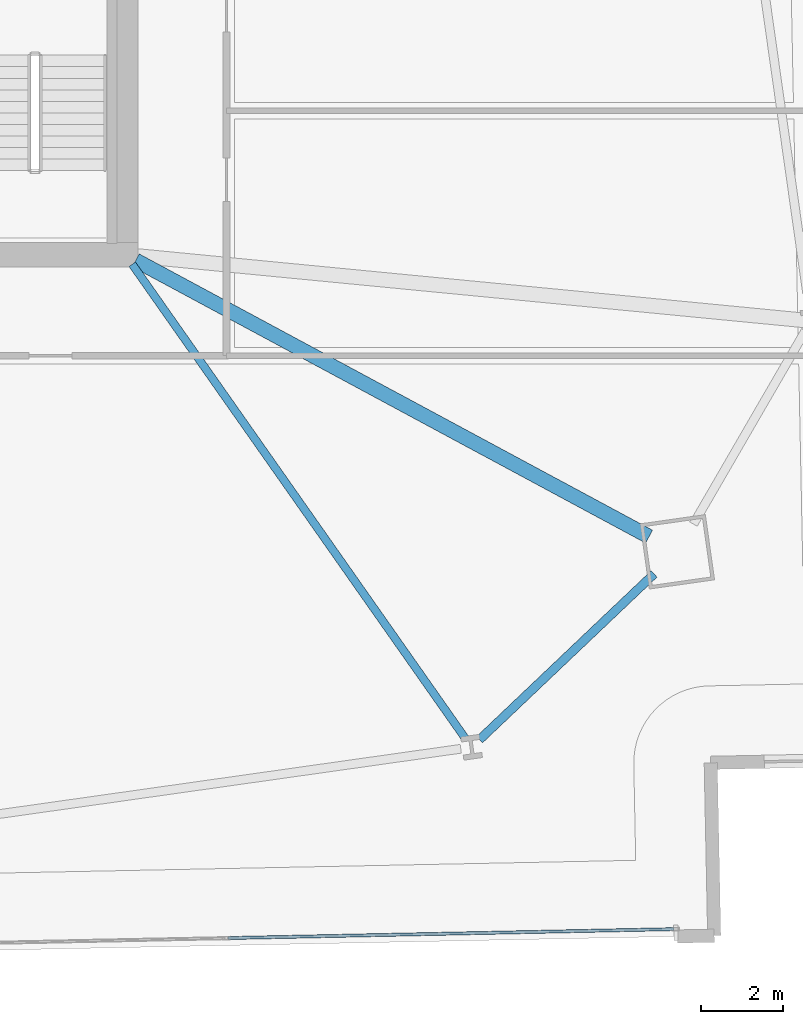
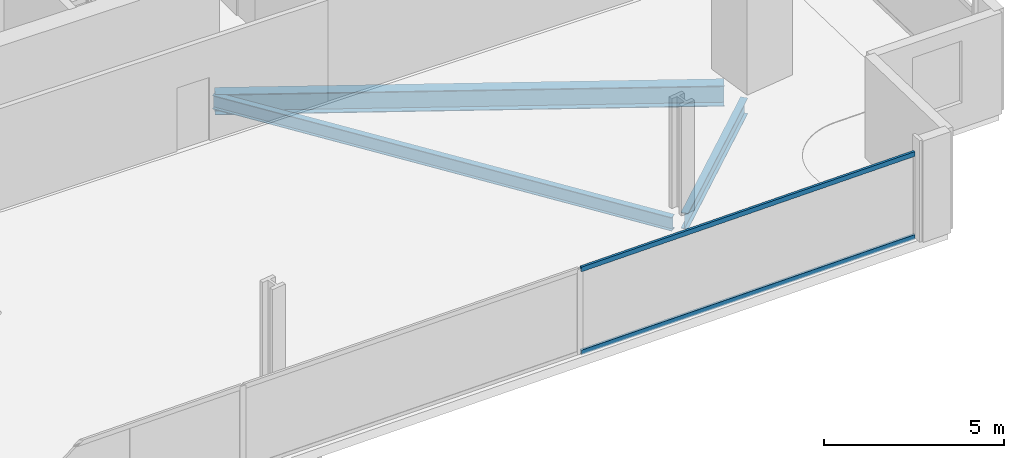
# One storey, part 11 of 35: 3 beams, 2 members, 1 element without a shape of its own.
"""IFC4 building model written with IfcOpenShell, lengths in metres."""

from ifc_helpers import new_model, si_unit, direction, frame, origin, origin_2d, place, context, subcontext, project, spatial, hollow_rectangle, i_section, extrude, material, material_profile, profile_set, type_object, element, aggregate, save


model = new_model("IFC4")

# Units and contexts
model_context = context("Model", 3, precision=1e-05, world=origin(), true_north=direction((0.0, 1.0)))
body_context = subcontext(model_context, "Body", "Model", "MODEL_VIEW")
ifc_project = project(units=[si_unit("LENGTHUNIT", "METRE"), si_unit("AREAUNIT", "SQUARE_METRE"), si_unit("VOLUMEUNIT", "CUBIC_METRE"), si_unit("PLANEANGLEUNIT", "RADIAN"), si_unit("MASSUNIT", "GRAM", prefix="KILO")], contexts=[model_context])

# Site, building, storey
site_placement = place(None, origin())
site = spatial("IfcSite", under=ifc_project, at=site_placement, CompositionType="ELEMENT")
building_placement = place(site_placement, origin())
building = spatial("IfcBuilding", under=site, at=building_placement, Name="Haldenkirk Collegiate Tower", CompositionType="ELEMENT")
storey_placement = place(building_placement, frame((0.0, 0.0, 32.699951171875)))
storey = spatial("IfcBuildingStorey", under=building, at=storey_placement, Name="L06", CompositionType="ELEMENT", Elevation=32.699951171875)

# Beams
ifc_material_1 = material(Name="Steel ASTM A992 Grade 50", Category="steel")
ifc_material_profile_1 = material_profile(ifc_material_1, i_section(OverallWidth=0.35498046875, OverallDepth=0.696044921875, WebThickness=0.015380859375, FlangeThickness=0.02490234375, at=origin_2d()), Name="W27X146")
ifc_profile_set_1 = profile_set([ifc_material_profile_1], Name="Steel ASTM A992 Grade 50")
beam_type_1 = type_object("IfcBeamType", Name="BM-GIRDER-W27X146", PredefinedType="BEAM", material=ifc_profile_set_1)
beam_1_placement = place(storey_placement, frame((57.71435546875, 11.15673828125, -0.657958984375), z_axis=(-0.880558564783, 0.473937352386, 0.0), x_axis=(-0.473937352386, -0.880558564783, 0.0)))
element("IfcBeam", 1, at=beam_1_placement, inside=storey, type_object=beam_type_1, Name="L06 primary floor girder 02", PredefinedType="BEAM", context=body_context, shape_type="SweptSolid", body=[
    extrude(i_section(OverallWidth=0.35498046875, OverallDepth=0.696044921875, WebThickness=0.015380859375, FlangeThickness=0.02490234375, at=origin_2d()), origin(), (0.0, 0.0, 1.0), 14.158935546875),
])
ifc_material_profile_2 = material_profile(ifc_material_1, i_section(OverallWidth=0.19189453125, OverallDepth=0.462890625, WebThickness=0.010498046875, FlangeThickness=0.017578125, at=origin_2d()), Name="W18X60")
ifc_profile_set_2 = profile_set([ifc_material_profile_2], Name="Steel ASTM A992 Grade 50")
beam_type_2 = type_object("IfcBeamType", Name="BM-JOIST-W18X60", PredefinedType="JOIST", material=ifc_profile_set_2)
beam_2_placement = place(storey_placement, frame((53.25048828125, 6.256591796875, -0.54150390625), z_axis=(-0.574869236657, 0.818245293751, 0.0), x_axis=(-0.818245293751, -0.574869236657, 0.0)))
element("IfcBeam", 2, at=beam_2_placement, inside=storey, type_object=beam_type_2, Name="L06 composite floor joist 07", PredefinedType="JOIST", context=body_context, shape_type="SweptSolid", body=[
    extrude(i_section(OverallWidth=0.19189453125, OverallDepth=0.462890625, WebThickness=0.010498046875, FlangeThickness=0.017578125, at=origin_2d()), origin(), (0.0, 0.0, 1.0), 14.072021484375),
])
ifc_material_profile_3 = material_profile(ifc_material_1, i_section(OverallWidth=0.2119140625, OverallDepth=0.5439453125, WebThickness=0.01318359375, FlangeThickness=0.021240234375, at=origin_2d()), Name="W21X83")
ifc_profile_set_3 = profile_set([ifc_material_profile_3], Name="Steel ASTM A992 Grade 50")
beam_type_3 = type_object("IfcBeamType", Name="BM-SPANDREL-W21X83", PredefinedType="SPANDREL", material=ifc_profile_set_3)
beam_3_placement = place(storey_placement, frame((53.594482421875, 6.222412109375, -0.58203125), z_axis=(0.725113023209, 0.688629874151, 0.0), x_axis=(-0.688629874151, 0.725113023209, 0.0)))
element("IfcBeam", 3, at=beam_3_placement, inside=storey, type_object=beam_type_3, Name="L06 perimeter spandrel beam 04", PredefinedType="SPANDREL", context=body_context, shape_type="SweptSolid", body=[
    extrude(i_section(OverallWidth=0.2119140625, OverallDepth=0.5439453125, WebThickness=0.01318359375, FlangeThickness=0.021240234375, at=origin_2d()), origin(), (0.0, 0.0, 1.0), 5.8486328125),
])

# Curtain wall, members
ifc_material_2 = material(Name="Anodised architectural bronze aluminium", Category="aluminium")
curtain_wall_type = type_object("IfcCurtainWallType", Name="CW-SYS2-CONCAVE", PredefinedType="USERDEFINED", material=ifc_material_2)
curtain_wall_placement = place(storey_placement, origin())
curtain_wall = element("IfcCurtainWall", 4, at=curtain_wall_placement, inside=storey, type_object=curtain_wall_type, Name="L06 South concave recessed bronze-anodised curtain wall", ObjectType="UNITISED CURTAIN WALL", PredefinedType="USERDEFINED")
ifc_material_profile_4 = material_profile(ifc_material_2, hollow_rectangle(XDim=0.074951171875, YDim=0.159912109375, WallThickness=0.0048828125, at=origin_2d()), Name="CW-TRN-02")
ifc_profile_set_4 = profile_set([ifc_material_profile_4], Name="Anodised architectural bronze aluminium")
member_type = type_object("IfcMemberType", Name="CW-TRN-02", PredefinedType="USERDEFINED", material=ifc_profile_set_4)
member_1_placement = place(storey_placement, frame((58.31884765625, 1.623046875, 0.03759765625), z_axis=(-0.9997985439, -0.020071661994, 0.0), x_axis=(0.020071661994, -0.9997985439, 0.0)))
member_1 = element("IfcMember", 5, at=member_1_placement, type_object=member_type, Name="CW-02 transom 1.1", ObjectType="TRANSOM", PredefinedType="USERDEFINED", context=body_context, shape_type="SweptSolid", body=[
    extrude(hollow_rectangle(XDim=0.074951171875, YDim=0.159912109375, WallThickness=0.0048828125, at=origin_2d()), origin(), (0.0, 0.0, 1.0), 10.837646484375),
])
member_2_placement = place(storey_placement, frame((58.31884765625, 1.623046875, 2.853515625), z_axis=(-0.9997985439, -0.020071661994, 0.0), x_axis=(0.020071661994, -0.9997985439, 0.0)))
member_2 = element("IfcMember", 6, at=member_2_placement, type_object=member_type, Name="CW-02 transom 1.2", ObjectType="TRANSOM", PredefinedType="USERDEFINED", context=body_context, shape_type="SweptSolid", body=[
    extrude(hollow_rectangle(XDim=0.074951171875, YDim=0.159912109375, WallThickness=0.0048828125, at=origin_2d()), origin(), (0.0, 0.0, 1.0), 10.837646484375),
])
aggregate(curtain_wall, [member_1, member_2])

save(model, "model.ifc")
